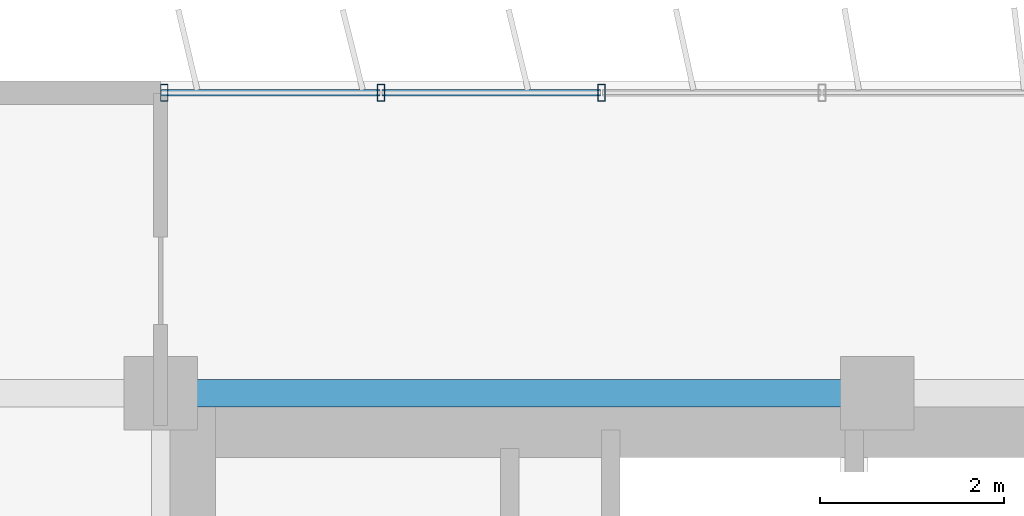
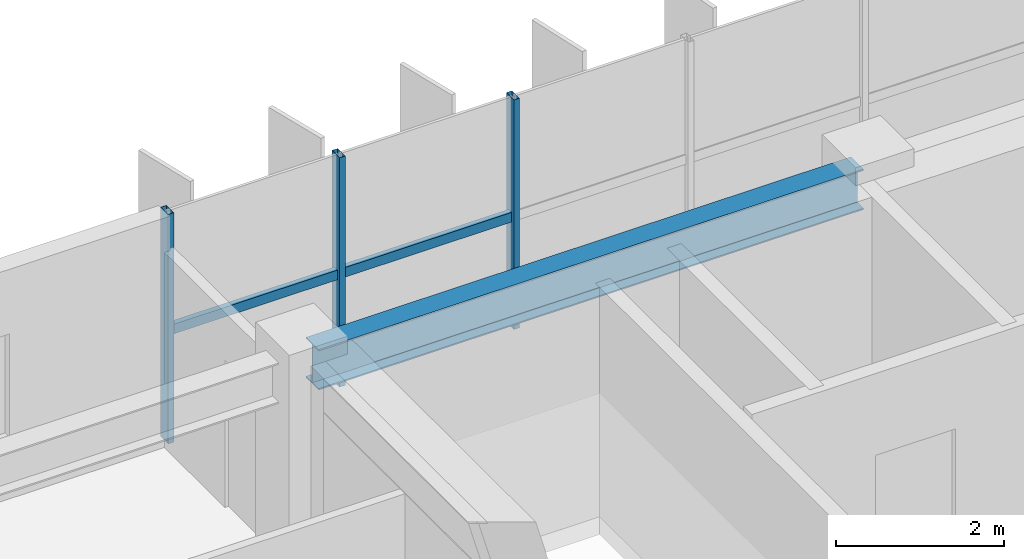
# One storey, part 5 of 22: 5 members, 1 beam, 1 element without a shape of its own.
"""IFC4 building model written with IfcOpenShell, lengths in metres."""

from ifc_helpers import new_model, si_unit, direction, frame, origin, origin_2d, place, context, subcontext, project, spatial, hollow_rectangle, i_section, extrude, source, transform, mapped, material, material_profile, profile_set, type_object, element, aggregate, save


model = new_model("IFC4")

# Units and contexts
model_context = context("Model", 3, precision=1e-05, world=origin(), true_north=direction((0.0, 1.0)))
body_context = subcontext(model_context, "Body", "Model", "MODEL_VIEW")
ifc_project = project(units=[si_unit("LENGTHUNIT", "METRE"), si_unit("AREAUNIT", "SQUARE_METRE"), si_unit("VOLUMEUNIT", "CUBIC_METRE"), si_unit("PLANEANGLEUNIT", "RADIAN"), si_unit("MASSUNIT", "GRAM", prefix="KILO")], contexts=[model_context])

# Site, building, storey
site_placement = place(None, origin())
site = spatial("IfcSite", under=ifc_project, at=site_placement, CompositionType="ELEMENT")
building_placement = place(site_placement, origin())
building = spatial("IfcBuilding", under=site, at=building_placement, Name="Trelvane Seafront Commons", CompositionType="ELEMENT")
storey_placement = place(building_placement, frame((0.0, 0.0, 99.699951171875)))
storey = spatial("IfcBuildingStorey", under=building, at=storey_placement, Name="L25", CompositionType="ELEMENT", Elevation=99.699951171875)

# Beam
ifc_material_1 = material(Name="Steel SM355 (S355)", Category="steel")
ifc_material_profile_1 = material_profile(ifc_material_1, i_section(OverallWidth=0.300048828125, OverallDepth=0.587890625, WebThickness=0.011962890625, FlangeThickness=0.02001953125, at=origin_2d()), Name="H-588x300x12x20")
ifc_profile_set_1 = profile_set([ifc_material_profile_1], Name="Steel SM355 (S355)")
beam_type = type_object("IfcBeamType", Name="STR-BM-H588", PredefinedType="BEAM", material=ifc_profile_set_1)
shared_shape_1 = source(origin(), body_context, "Body", "SweptSolid", [
    extrude(i_section(OverallWidth=0.300048828125, OverallDepth=0.587890625, WebThickness=0.011962890625, FlangeThickness=0.02001953125, at=origin_2d()), origin(), (0.0, 0.0, 1.0), 7.5),
])
beam_placement = place(storey_placement, frame((15.75, 45.10009765625, 3.046142578125), z_axis=(1.0, 0.0, 0.0), x_axis=(0.0, 1.0, 0.0)))
element("IfcBeam", 1, at=beam_placement, inside=storey, type_object=beam_type, Name="L25 Primary Girder G-30", PredefinedType="BEAM", context=body_context, shape_type="MappedRepresentation", body=[
    mapped(shared_shape_1, transform((0.0, 0.0, 0.0), x_axis=(1.0, 0.0, 0.0), y_axis=(0.0, 1.0, 0.0), z_axis=(0.0, 0.0, 1.0), scale=1.0)),
])

# Curtain wall, members
ifc_material_2 = material(Name="Anodised pale-silver aluminium", Category="aluminium")
curtain_wall_type = type_object("IfcCurtainWallType", Name="ARCH-CW4-SKYLOBBY", PredefinedType="NOTDEFINED", material=ifc_material_2)
curtain_wall_placement = place(storey_placement, origin())
curtain_wall = element("IfcCurtainWall", 2, at=curtain_wall_placement, inside=storey, type_object=curtain_wall_type, Name="CW-L25-0050", PredefinedType="NOTDEFINED")
ifc_material_profile_2 = material_profile(ifc_material_2, hollow_rectangle(XDim=0.074951171875, YDim=0.139892578125, WallThickness=0.00390625, at=origin_2d()), Name="TRAN-75x140x4")
ifc_profile_set_2 = profile_set([ifc_material_profile_2], Name="Anodised pale-silver aluminium")
member_type_1 = type_object("IfcMemberType", Name="ARCH-CW-TRAN-140", PredefinedType="USERDEFINED", material=ifc_profile_set_2)
shared_shape_2 = source(origin(), body_context, "Body", "SweptSolid", [
    extrude(hollow_rectangle(XDim=0.074951171875, YDim=0.139892578125, WallThickness=0.00390625, at=origin_2d()), origin(), (0.0, 0.0, 1.0), 2.3759765625),
])
member_1_placement = place(storey_placement, frame((15.612060546875, 48.3701171875, 1.60302734375), z_axis=(1.0, 0.0, 0.0), x_axis=(0.0, 1.0, 0.0)))
member_1 = element("IfcMember", 3, at=member_1_placement, type_object=member_type_1, Name="CW-L25-0050-T00", ObjectType="TRANSOM", PredefinedType="USERDEFINED", context=body_context, shape_type="MappedRepresentation", body=[
    mapped(shared_shape_2, transform((0.0, 0.0, 0.0), x_axis=(1.0, 0.0, 0.0), y_axis=(0.0, 1.0, 0.0), z_axis=(0.0, 0.0, 1.0), scale=1.0)),
])
member_2_placement = place(storey_placement, frame((18.011962890625, 48.3701171875, 1.60302734375), z_axis=(1.0, 0.0, 0.0), x_axis=(0.0, 1.0, 0.0)))
member_2 = element("IfcMember", 4, at=member_2_placement, type_object=member_type_1, Name="CW-L25-0050-T01", ObjectType="TRANSOM", PredefinedType="USERDEFINED", context=body_context, shape_type="MappedRepresentation", body=[
    mapped(shared_shape_2, transform((0.0, 0.0, 0.0), x_axis=(1.0, 0.0, 0.0), y_axis=(0.0, 1.0, 0.0), z_axis=(0.0, 0.0, 1.0), scale=1.0)),
])
ifc_material_profile_3 = material_profile(ifc_material_2, hollow_rectangle(XDim=0.080078125, YDim=0.179931640625, WallThickness=0.00439453125, at=origin_2d()), Name="MULL-80x180x4.5")
ifc_profile_set_3 = profile_set([ifc_material_profile_3], Name="Anodised pale-silver aluminium")
member_type_2 = type_object("IfcMemberType", Name="ARCH-CW-MULL-180", PredefinedType="MULLION", material=ifc_profile_set_3)
shared_shape_3 = source(origin(), body_context, "Body", "SweptSolid", [
    extrude(hollow_rectangle(XDim=0.080078125, YDim=0.179931640625, WallThickness=0.00439453125, at=origin_2d()), origin(), (0.0, 0.0, 1.0), 3.340087890625),
])
member_3_placement = place(storey_placement, frame((15.639892578125, 48.3701171875, 0.0), z_axis=(0.0, 0.0, 1.0), x_axis=(1.0, 0.0, 0.0)))
member_3 = element("IfcMember", 5, at=member_3_placement, type_object=member_type_2, Name="CW-L25-0050-M00", PredefinedType="MULLION", context=body_context, shape_type="MappedRepresentation", body=[
    mapped(shared_shape_3, transform((0.0, 0.0, 0.0), x_axis=(1.0, 0.0, 0.0), y_axis=(0.0, 1.0, 0.0), z_axis=(0.0, 0.0, 1.0), scale=1.0)),
])
member_4_placement = place(storey_placement, frame((18.0, 48.3701171875, 0.0), z_axis=(0.0, 0.0, 1.0), x_axis=(1.0, 0.0, 0.0)))
member_4 = element("IfcMember", 6, at=member_4_placement, type_object=member_type_2, Name="CW-L25-0050-M01", PredefinedType="MULLION", context=body_context, shape_type="MappedRepresentation", body=[
    mapped(shared_shape_3, transform((0.0, 0.0, 0.0), x_axis=(1.0, 0.0, 0.0), y_axis=(0.0, 1.0, 0.0), z_axis=(0.0, 0.0, 1.0), scale=1.0)),
])
member_5_placement = place(storey_placement, frame((20.39990234375, 48.3701171875, 0.0), z_axis=(0.0, 0.0, 1.0), x_axis=(1.0, 0.0, 0.0)))
member_5 = element("IfcMember", 7, at=member_5_placement, type_object=member_type_2, Name="CW-L25-0050-M02", PredefinedType="MULLION", context=body_context, shape_type="MappedRepresentation", body=[
    mapped(shared_shape_3, transform((0.0, 0.0, 0.0), x_axis=(1.0, 0.0, 0.0), y_axis=(0.0, 1.0, 0.0), z_axis=(0.0, 0.0, 1.0), scale=1.0)),
])
aggregate(curtain_wall, [member_3, member_4, member_5, member_1, member_2])

save(model, "model.ifc")
